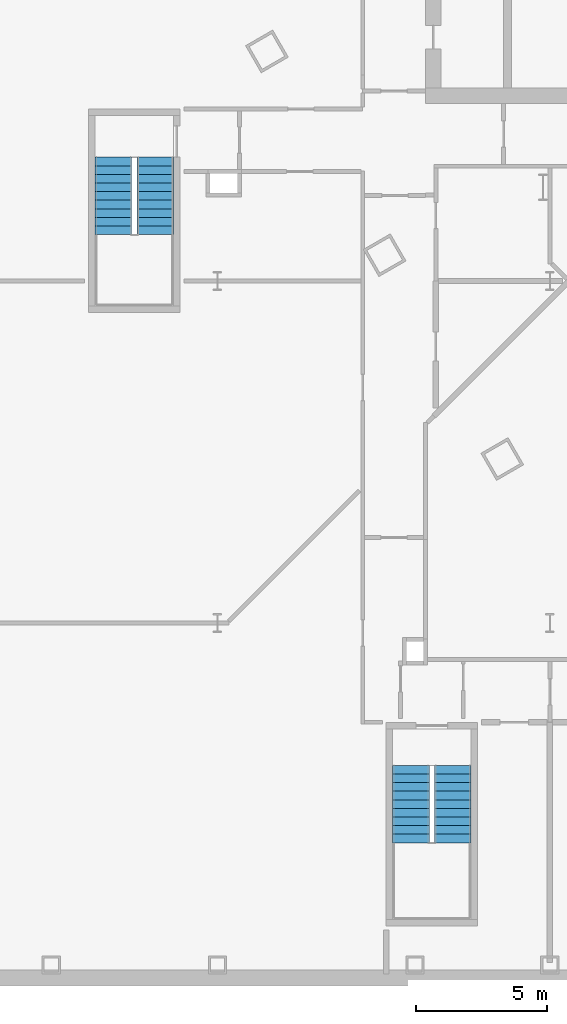
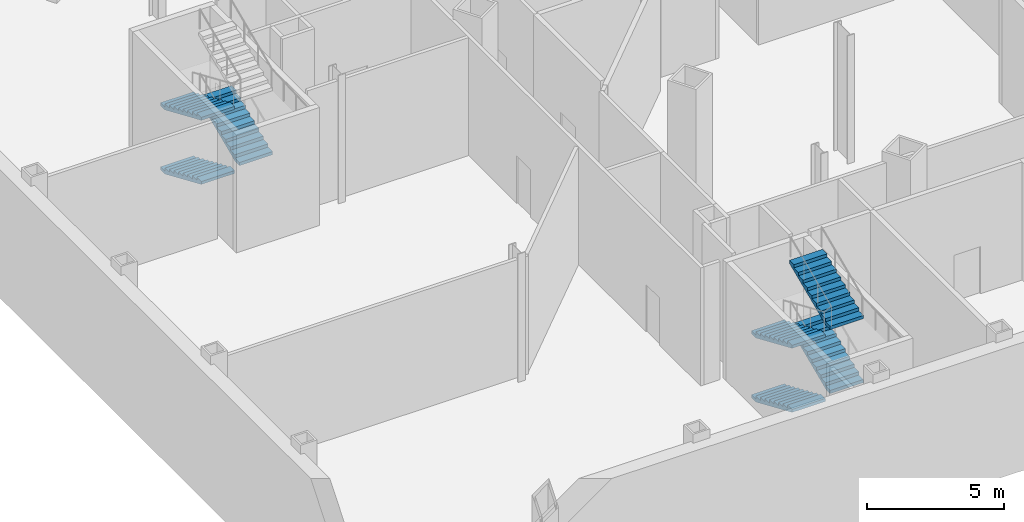
# One storey, part 12 of 17: 7 stair flights, 2 elements without a shape of their own.
"""IFC4 building model written with IfcOpenShell, lengths in metres."""

from ifc_helpers import new_model, si_unit, direction, frame, origin, place, context, subcontext, project, spatial, polygons, material, type_object, element, aggregate, save


model = new_model("IFC4")

# Units and contexts
model_context = context("Model", 3, precision=1e-05, world=origin(), true_north=direction((0.0, 1.0)))
body_context = subcontext(model_context, "Body", "Model", "MODEL_VIEW")
ifc_project = project(units=[si_unit("LENGTHUNIT", "METRE"), si_unit("AREAUNIT", "SQUARE_METRE"), si_unit("VOLUMEUNIT", "CUBIC_METRE"), si_unit("PLANEANGLEUNIT", "RADIAN"), si_unit("MASSUNIT", "GRAM", prefix="KILO")], contexts=[model_context])

# Site, building, storey
site_placement = place(None, origin())
site = spatial("IfcSite", under=ifc_project, at=site_placement, CompositionType="ELEMENT")
building_placement = place(site_placement, origin())
building = spatial("IfcBuilding", under=site, at=building_placement, Name="Njiva Tower", CompositionType="ELEMENT")
storey_placement = place(building_placement, frame((0.0, 0.0, -11.4)))
storey = spatial("IfcBuildingStorey", under=building, at=storey_placement, Name="B2", CompositionType="ELEMENT", Elevation=-11.4)

# Stair, stair flights
ifc_material = material(Name="Concrete C40/50", Category="concrete")
stair_type = type_object("IfcStairType", Name="ST2 Exit stair 1400", PredefinedType="HALF_TURN_STAIR", material=ifc_material)
stair_1_placement = place(storey_placement, origin())
stair_1 = element("IfcStair", 1, at=stair_1_placement, inside=storey, type_object=stair_type, Name="Stair D basement", PredefinedType="DOUBLE_RETURN_STAIR")
stair_flight_type = type_object("IfcStairFlightType", Name="FL2 Stair flight 1400", PredefinedType="STRAIGHT", material=ifc_material)
stair_flight_1_placement = place(storey_placement, frame((-18.05, -25.35, 0.0), z_axis=(0.0, 0.0, 1.0), x_axis=(0.0, -1.0, 0.0)))
stair_flight_1 = element("IfcStairFlight", 2, at=stair_flight_1_placement, type_object=stair_flight_type, Name="ST-DB flight 1", NumberOfRisers=10, NumberOfTreads=9, PredefinedType="STRAIGHT", RiserHeight=0.1425, TreadLength=0.33, context=body_context, shape_type="Tessellation", body=[
    polygons([(0.0, 0.7, 0.0), (0.0, 0.35, 0.0), (0.0, 0.0, 0.0), (0.0, -0.35, 0.0), (0.0, -0.7, 0.0), (0.0, 0.7, 0.1425), (0.0, 0.35, 0.1425), (0.0, 0.0, 0.1425), (0.0, -0.35, 0.1425), (0.0, -0.7, 0.1425), (0.33, 0.7, 0.1425), (0.33, 0.35, 0.1425), (0.33, 0.0, 0.1425), (0.33, -0.35, 0.1425), (0.33, -0.7, 0.1425), (0.33, 0.7, 0.285), (0.33, 0.35, 0.285), (0.33, 0.0, 0.285), (0.33, -0.35, 0.285), (0.33, -0.7, 0.285), (0.66, 0.7, 0.285), (0.66, 0.35, 0.285), (0.66, 0.0, 0.285), (0.66, -0.35, 0.285), (0.66, -0.7, 0.285), (0.66, 0.7, 0.4275), (0.66, 0.35, 0.4275), (0.66, 0.0, 0.4275), (0.66, -0.35, 0.4275), (0.66, -0.7, 0.4275), (0.99, 0.7, 0.4275), (0.99, 0.35, 0.4275), (0.99, 0.0, 0.4275), (0.99, -0.35, 0.4275), (0.99, -0.7, 0.4275), (0.99, 0.7, 0.57), (0.99, 0.35, 0.57), (0.99, 0.0, 0.57), (0.99, -0.35, 0.57), (0.99, -0.7, 0.57), (1.32, 0.7, 0.57), (1.32, 0.35, 0.57), (1.32, 0.0, 0.57), (1.32, -0.35, 0.57), (1.32, -0.7, 0.57), (1.32, 0.7, 0.7125), (1.32, 0.35, 0.7125), (1.32, 0.0, 0.7125), (1.32, -0.35, 0.7125), (1.32, -0.7, 0.7125), (1.65, 0.7, 0.7125), (1.65, 0.35, 0.7125), (1.65, 0.0, 0.7125), (1.65, -0.35, 0.7125), (1.65, -0.7, 0.7125), (1.65, 0.7, 0.855), (1.65, 0.35, 0.855), (1.65, 0.0, 0.855), (1.65, -0.35, 0.855), (1.65, -0.7, 0.855), (1.98, 0.7, 0.855), (1.98, 0.35, 0.855), (1.98, 0.0, 0.855), (1.98, -0.35, 0.855), (1.98, -0.7, 0.855), (1.98, 0.7, 0.9975), (1.98, 0.35, 0.9975), (1.98, 0.0, 0.9975), (1.98, -0.35, 0.9975), (1.98, -0.7, 0.9975), (2.31, 0.7, 0.9975), (2.31, 0.35, 0.9975), (2.31, 0.0, 0.9975), (2.31, -0.35, 0.9975), (2.31, -0.7, 0.9975), (2.31, 0.7, 1.14), (2.31, 0.35, 1.14), (2.31, 0.0, 1.14), (2.31, -0.35, 1.14), (2.31, -0.7, 1.14), (2.64, 0.7, 1.14), (2.64, 0.35, 1.14), (2.64, 0.0, 1.14), (2.64, -0.35, 1.14), (2.64, -0.7, 1.14), (2.64, 0.7, 1.2825), (2.64, 0.35, 1.2825), (2.64, 0.0, 1.2825), (2.64, -0.35, 1.2825), (2.64, -0.7, 1.2825), (2.97, 0.7, 1.2825), (2.97, 0.35, 1.2825), (2.97, 0.0, 1.2825), (2.97, -0.35, 1.2825), (2.97, -0.7, 1.2825), (2.97, 0.7, 1.1518), (2.97, 0.35, 1.1518), (2.97, 0.0, 1.1518), (2.97, -0.35, 1.1518), (2.97, -0.7, 1.1518), (0.3027, 0.7, 0.0), (0.3027, 0.35, 0.0), (0.3027, 0.0, 0.0), (0.3027, -0.35, 0.0), (0.3027, -0.7, 0.0)], [[[1, 6, 11, 16, 21, 26, 31, 36, 41, 46, 51, 56, 61, 66, 71, 76, 81, 86, 91, 96, 101]], [[105, 100, 95, 90, 85, 80, 75, 70, 65, 60, 55, 50, 45, 40, 35, 30, 25, 20, 15, 10, 5]], [[6, 1, 2, 7]], [[7, 2, 3, 8]], [[8, 3, 4, 9]], [[9, 4, 5, 10]], [[11, 6, 7, 12]], [[12, 7, 8, 13]], [[13, 8, 9, 14]], [[14, 9, 10, 15]], [[16, 11, 12, 17]], [[17, 12, 13, 18]], [[18, 13, 14, 19]], [[19, 14, 15, 20]], [[21, 16, 17, 22]], [[22, 17, 18, 23]], [[23, 18, 19, 24]], [[24, 19, 20, 25]], [[26, 21, 22, 27]], [[27, 22, 23, 28]], [[28, 23, 24, 29]], [[29, 24, 25, 30]], [[31, 26, 27, 32]], [[32, 27, 28, 33]], [[33, 28, 29, 34]], [[34, 29, 30, 35]], [[36, 31, 32, 37]], [[37, 32, 33, 38]], [[38, 33, 34, 39]], [[39, 34, 35, 40]], [[41, 36, 37, 42]], [[42, 37, 38, 43]], [[43, 38, 39, 44]], [[44, 39, 40, 45]], [[46, 41, 42, 47]], [[47, 42, 43, 48]], [[48, 43, 44, 49]], [[49, 44, 45, 50]], [[51, 46, 47, 52]], [[52, 47, 48, 53]], [[53, 48, 49, 54]], [[54, 49, 50, 55]], [[56, 51, 52, 57]], [[57, 52, 53, 58]], [[58, 53, 54, 59]], [[59, 54, 55, 60]], [[61, 56, 57, 62]], [[62, 57, 58, 63]], [[63, 58, 59, 64]], [[64, 59, 60, 65]], [[66, 61, 62, 67]], [[67, 62, 63, 68]], [[68, 63, 64, 69]], [[69, 64, 65, 70]], [[71, 66, 67, 72]], [[72, 67, 68, 73]], [[73, 68, 69, 74]], [[74, 69, 70, 75]], [[76, 71, 72, 77]], [[77, 72, 73, 78]], [[78, 73, 74, 79]], [[79, 74, 75, 80]], [[81, 76, 77, 82]], [[82, 77, 78, 83]], [[83, 78, 79, 84]], [[84, 79, 80, 85]], [[86, 81, 82, 87]], [[87, 82, 83, 88]], [[88, 83, 84, 89]], [[89, 84, 85, 90]], [[91, 86, 87, 92]], [[92, 87, 88, 93]], [[93, 88, 89, 94]], [[94, 89, 90, 95]], [[96, 91, 92, 97]], [[97, 92, 93, 98]], [[98, 93, 94, 99]], [[99, 94, 95, 100]], [[101, 96, 97, 102]], [[102, 97, 98, 103]], [[103, 98, 99, 104]], [[104, 99, 100, 105]], [[1, 101, 102, 2]], [[2, 102, 103, 3]], [[3, 103, 104, 4]], [[4, 104, 105, 5]]], closed=True),
])
stair_flight_2_placement = place(storey_placement, frame((-16.45, -28.32, 1.425), z_axis=(0.0, 0.0, 1.0), x_axis=(0.0, 1.0, 0.0)))
stair_flight_2 = element("IfcStairFlight", 3, at=stair_flight_2_placement, type_object=stair_flight_type, Name="ST-DB flight 2", NumberOfRisers=10, NumberOfTreads=9, PredefinedType="STRAIGHT", RiserHeight=0.1425, TreadLength=0.33, context=body_context, shape_type="Tessellation", body=[
    polygons([(0.0, 0.7, 0.0), (0.0, 0.35, 0.0), (0.0, 0.0, 0.0), (0.0, -0.35, 0.0), (0.0, -0.7, 0.0), (0.0, 0.7, 0.1425), (0.0, 0.35, 0.1425), (0.0, 0.0, 0.1425), (0.0, -0.35, 0.1425), (0.0, -0.7, 0.1425), (0.33, 0.7, 0.1425), (0.33, 0.35, 0.1425), (0.33, 0.0, 0.1425), (0.33, -0.35, 0.1425), (0.33, -0.7, 0.1425), (0.33, 0.7, 0.285), (0.33, 0.35, 0.285), (0.33, 0.0, 0.285), (0.33, -0.35, 0.285), (0.33, -0.7, 0.285), (0.66, 0.7, 0.285), (0.66, 0.35, 0.285), (0.66, 0.0, 0.285), (0.66, -0.35, 0.285), (0.66, -0.7, 0.285), (0.66, 0.7, 0.4275), (0.66, 0.35, 0.4275), (0.66, 0.0, 0.4275), (0.66, -0.35, 0.4275), (0.66, -0.7, 0.4275), (0.99, 0.7, 0.4275), (0.99, 0.35, 0.4275), (0.99, 0.0, 0.4275), (0.99, -0.35, 0.4275), (0.99, -0.7, 0.4275), (0.99, 0.7, 0.57), (0.99, 0.35, 0.57), (0.99, 0.0, 0.57), (0.99, -0.35, 0.57), (0.99, -0.7, 0.57), (1.32, 0.7, 0.57), (1.32, 0.35, 0.57), (1.32, 0.0, 0.57), (1.32, -0.35, 0.57), (1.32, -0.7, 0.57), (1.32, 0.7, 0.7125), (1.32, 0.35, 0.7125), (1.32, 0.0, 0.7125), (1.32, -0.35, 0.7125), (1.32, -0.7, 0.7125), (1.65, 0.7, 0.7125), (1.65, 0.35, 0.7125), (1.65, 0.0, 0.7125), (1.65, -0.35, 0.7125), (1.65, -0.7, 0.7125), (1.65, 0.7, 0.855), (1.65, 0.35, 0.855), (1.65, 0.0, 0.855), (1.65, -0.35, 0.855), (1.65, -0.7, 0.855), (1.98, 0.7, 0.855), (1.98, 0.35, 0.855), (1.98, 0.0, 0.855), (1.98, -0.35, 0.855), (1.98, -0.7, 0.855), (1.98, 0.7, 0.9975), (1.98, 0.35, 0.9975), (1.98, 0.0, 0.9975), (1.98, -0.35, 0.9975), (1.98, -0.7, 0.9975), (2.31, 0.7, 0.9975), (2.31, 0.35, 0.9975), (2.31, 0.0, 0.9975), (2.31, -0.35, 0.9975), (2.31, -0.7, 0.9975), (2.31, 0.7, 1.14), (2.31, 0.35, 1.14), (2.31, 0.0, 1.14), (2.31, -0.35, 1.14), (2.31, -0.7, 1.14), (2.64, 0.7, 1.14), (2.64, 0.35, 1.14), (2.64, 0.0, 1.14), (2.64, -0.35, 1.14), (2.64, -0.7, 1.14), (2.64, 0.7, 1.2825), (2.64, 0.35, 1.2825), (2.64, 0.0, 1.2825), (2.64, -0.35, 1.2825), (2.64, -0.7, 1.2825), (2.97, 0.7, 1.2825), (2.97, 0.35, 1.2825), (2.97, 0.0, 1.2825), (2.97, -0.35, 1.2825), (2.97, -0.7, 1.2825), (2.97, 0.7, 1.1518), (2.97, 0.35, 1.1518), (2.97, 0.0, 1.1518), (2.97, -0.35, 1.1518), (2.97, -0.7, 1.1518), (0.3027, 0.7, 0.0), (0.3027, 0.35, 0.0), (0.3027, 0.0, 0.0), (0.3027, -0.35, 0.0), (0.3027, -0.7, 0.0)], [[[1, 6, 11, 16, 21, 26, 31, 36, 41, 46, 51, 56, 61, 66, 71, 76, 81, 86, 91, 96, 101]], [[105, 100, 95, 90, 85, 80, 75, 70, 65, 60, 55, 50, 45, 40, 35, 30, 25, 20, 15, 10, 5]], [[6, 1, 2, 7]], [[7, 2, 3, 8]], [[8, 3, 4, 9]], [[9, 4, 5, 10]], [[11, 6, 7, 12]], [[12, 7, 8, 13]], [[13, 8, 9, 14]], [[14, 9, 10, 15]], [[16, 11, 12, 17]], [[17, 12, 13, 18]], [[18, 13, 14, 19]], [[19, 14, 15, 20]], [[21, 16, 17, 22]], [[22, 17, 18, 23]], [[23, 18, 19, 24]], [[24, 19, 20, 25]], [[26, 21, 22, 27]], [[27, 22, 23, 28]], [[28, 23, 24, 29]], [[29, 24, 25, 30]], [[31, 26, 27, 32]], [[32, 27, 28, 33]], [[33, 28, 29, 34]], [[34, 29, 30, 35]], [[36, 31, 32, 37]], [[37, 32, 33, 38]], [[38, 33, 34, 39]], [[39, 34, 35, 40]], [[41, 36, 37, 42]], [[42, 37, 38, 43]], [[43, 38, 39, 44]], [[44, 39, 40, 45]], [[46, 41, 42, 47]], [[47, 42, 43, 48]], [[48, 43, 44, 49]], [[49, 44, 45, 50]], [[51, 46, 47, 52]], [[52, 47, 48, 53]], [[53, 48, 49, 54]], [[54, 49, 50, 55]], [[56, 51, 52, 57]], [[57, 52, 53, 58]], [[58, 53, 54, 59]], [[59, 54, 55, 60]], [[61, 56, 57, 62]], [[62, 57, 58, 63]], [[63, 58, 59, 64]], [[64, 59, 60, 65]], [[66, 61, 62, 67]], [[67, 62, 63, 68]], [[68, 63, 64, 69]], [[69, 64, 65, 70]], [[71, 66, 67, 72]], [[72, 67, 68, 73]], [[73, 68, 69, 74]], [[74, 69, 70, 75]], [[76, 71, 72, 77]], [[77, 72, 73, 78]], [[78, 73, 74, 79]], [[79, 74, 75, 80]], [[81, 76, 77, 82]], [[82, 77, 78, 83]], [[83, 78, 79, 84]], [[84, 79, 80, 85]], [[86, 81, 82, 87]], [[87, 82, 83, 88]], [[88, 83, 84, 89]], [[89, 84, 85, 90]], [[91, 86, 87, 92]], [[92, 87, 88, 93]], [[93, 88, 89, 94]], [[94, 89, 90, 95]], [[96, 91, 92, 97]], [[97, 92, 93, 98]], [[98, 93, 94, 99]], [[99, 94, 95, 100]], [[101, 96, 97, 102]], [[102, 97, 98, 103]], [[103, 98, 99, 104]], [[104, 99, 100, 105]], [[1, 101, 102, 2]], [[2, 102, 103, 3]], [[3, 103, 104, 4]], [[4, 104, 105, 5]]], closed=True),
])
stair_flight_3_placement = place(storey_placement, frame((-18.05, -25.35, 2.85), z_axis=(0.0, 0.0, 1.0), x_axis=(0.0, -1.0, 0.0)))
stair_flight_3 = element("IfcStairFlight", 4, at=stair_flight_3_placement, type_object=stair_flight_type, Name="ST-DB flight 3", NumberOfRisers=10, NumberOfTreads=9, PredefinedType="STRAIGHT", RiserHeight=0.1425, TreadLength=0.33, context=body_context, shape_type="Tessellation", body=[
    polygons([(0.0, 0.7, 0.0), (0.0, 0.35, 0.0), (0.0, 0.0, 0.0), (0.0, -0.35, 0.0), (0.0, -0.7, 0.0), (0.0, 0.7, 0.1425), (0.0, 0.35, 0.1425), (0.0, 0.0, 0.1425), (0.0, -0.35, 0.1425), (0.0, -0.7, 0.1425), (0.33, 0.7, 0.1425), (0.33, 0.35, 0.1425), (0.33, 0.0, 0.1425), (0.33, -0.35, 0.1425), (0.33, -0.7, 0.1425), (0.33, 0.7, 0.285), (0.33, 0.35, 0.285), (0.33, 0.0, 0.285), (0.33, -0.35, 0.285), (0.33, -0.7, 0.285), (0.66, 0.7, 0.285), (0.66, 0.35, 0.285), (0.66, 0.0, 0.285), (0.66, -0.35, 0.285), (0.66, -0.7, 0.285), (0.66, 0.7, 0.4275), (0.66, 0.35, 0.4275), (0.66, 0.0, 0.4275), (0.66, -0.35, 0.4275), (0.66, -0.7, 0.4275), (0.99, 0.7, 0.4275), (0.99, 0.35, 0.4275), (0.99, 0.0, 0.4275), (0.99, -0.35, 0.4275), (0.99, -0.7, 0.4275), (0.99, 0.7, 0.57), (0.99, 0.35, 0.57), (0.99, 0.0, 0.57), (0.99, -0.35, 0.57), (0.99, -0.7, 0.57), (1.32, 0.7, 0.57), (1.32, 0.35, 0.57), (1.32, 0.0, 0.57), (1.32, -0.35, 0.57), (1.32, -0.7, 0.57), (1.32, 0.7, 0.7125), (1.32, 0.35, 0.7125), (1.32, 0.0, 0.7125), (1.32, -0.35, 0.7125), (1.32, -0.7, 0.7125), (1.65, 0.7, 0.7125), (1.65, 0.35, 0.7125), (1.65, 0.0, 0.7125), (1.65, -0.35, 0.7125), (1.65, -0.7, 0.7125), (1.65, 0.7, 0.855), (1.65, 0.35, 0.855), (1.65, 0.0, 0.855), (1.65, -0.35, 0.855), (1.65, -0.7, 0.855), (1.98, 0.7, 0.855), (1.98, 0.35, 0.855), (1.98, 0.0, 0.855), (1.98, -0.35, 0.855), (1.98, -0.7, 0.855), (1.98, 0.7, 0.9975), (1.98, 0.35, 0.9975), (1.98, 0.0, 0.9975), (1.98, -0.35, 0.9975), (1.98, -0.7, 0.9975), (2.31, 0.7, 0.9975), (2.31, 0.35, 0.9975), (2.31, 0.0, 0.9975), (2.31, -0.35, 0.9975), (2.31, -0.7, 0.9975), (2.31, 0.7, 1.14), (2.31, 0.35, 1.14), (2.31, 0.0, 1.14), (2.31, -0.35, 1.14), (2.31, -0.7, 1.14), (2.64, 0.7, 1.14), (2.64, 0.35, 1.14), (2.64, 0.0, 1.14), (2.64, -0.35, 1.14), (2.64, -0.7, 1.14), (2.64, 0.7, 1.2825), (2.64, 0.35, 1.2825), (2.64, 0.0, 1.2825), (2.64, -0.35, 1.2825), (2.64, -0.7, 1.2825), (2.97, 0.7, 1.2825), (2.97, 0.35, 1.2825), (2.97, 0.0, 1.2825), (2.97, -0.35, 1.2825), (2.97, -0.7, 1.2825), (2.97, 0.7, 1.1518), (2.97, 0.35, 1.1518), (2.97, 0.0, 1.1518), (2.97, -0.35, 1.1518), (2.97, -0.7, 1.1518), (0.3027, 0.7, 0.0), (0.3027, 0.35, 0.0), (0.3027, 0.0, 0.0), (0.3027, -0.35, 0.0), (0.3027, -0.7, 0.0)], [[[1, 6, 11, 16, 21, 26, 31, 36, 41, 46, 51, 56, 61, 66, 71, 76, 81, 86, 91, 96, 101]], [[105, 100, 95, 90, 85, 80, 75, 70, 65, 60, 55, 50, 45, 40, 35, 30, 25, 20, 15, 10, 5]], [[6, 1, 2, 7]], [[7, 2, 3, 8]], [[8, 3, 4, 9]], [[9, 4, 5, 10]], [[11, 6, 7, 12]], [[12, 7, 8, 13]], [[13, 8, 9, 14]], [[14, 9, 10, 15]], [[16, 11, 12, 17]], [[17, 12, 13, 18]], [[18, 13, 14, 19]], [[19, 14, 15, 20]], [[21, 16, 17, 22]], [[22, 17, 18, 23]], [[23, 18, 19, 24]], [[24, 19, 20, 25]], [[26, 21, 22, 27]], [[27, 22, 23, 28]], [[28, 23, 24, 29]], [[29, 24, 25, 30]], [[31, 26, 27, 32]], [[32, 27, 28, 33]], [[33, 28, 29, 34]], [[34, 29, 30, 35]], [[36, 31, 32, 37]], [[37, 32, 33, 38]], [[38, 33, 34, 39]], [[39, 34, 35, 40]], [[41, 36, 37, 42]], [[42, 37, 38, 43]], [[43, 38, 39, 44]], [[44, 39, 40, 45]], [[46, 41, 42, 47]], [[47, 42, 43, 48]], [[48, 43, 44, 49]], [[49, 44, 45, 50]], [[51, 46, 47, 52]], [[52, 47, 48, 53]], [[53, 48, 49, 54]], [[54, 49, 50, 55]], [[56, 51, 52, 57]], [[57, 52, 53, 58]], [[58, 53, 54, 59]], [[59, 54, 55, 60]], [[61, 56, 57, 62]], [[62, 57, 58, 63]], [[63, 58, 59, 64]], [[64, 59, 60, 65]], [[66, 61, 62, 67]], [[67, 62, 63, 68]], [[68, 63, 64, 69]], [[69, 64, 65, 70]], [[71, 66, 67, 72]], [[72, 67, 68, 73]], [[73, 68, 69, 74]], [[74, 69, 70, 75]], [[76, 71, 72, 77]], [[77, 72, 73, 78]], [[78, 73, 74, 79]], [[79, 74, 75, 80]], [[81, 76, 77, 82]], [[82, 77, 78, 83]], [[83, 78, 79, 84]], [[84, 79, 80, 85]], [[86, 81, 82, 87]], [[87, 82, 83, 88]], [[88, 83, 84, 89]], [[89, 84, 85, 90]], [[91, 86, 87, 92]], [[92, 87, 88, 93]], [[93, 88, 89, 94]], [[94, 89, 90, 95]], [[96, 91, 92, 97]], [[97, 92, 93, 98]], [[98, 93, 94, 99]], [[99, 94, 95, 100]], [[101, 96, 97, 102]], [[102, 97, 98, 103]], [[103, 98, 99, 104]], [[104, 99, 100, 105]], [[1, 101, 102, 2]], [[2, 102, 103, 3]], [[3, 103, 104, 4]], [[4, 104, 105, 5]]], closed=True),
])
stair_flight_4_placement = place(storey_placement, frame((-16.45, -28.32, 4.275), z_axis=(0.0, 0.0, 1.0), x_axis=(0.0, 1.0, 0.0)))
stair_flight_4 = element("IfcStairFlight", 5, at=stair_flight_4_placement, type_object=stair_flight_type, Name="ST-DB flight 4", NumberOfRisers=10, NumberOfTreads=9, PredefinedType="STRAIGHT", RiserHeight=0.1425, TreadLength=0.33, context=body_context, shape_type="Tessellation", body=[
    polygons([(0.0, 0.7, 0.0), (0.0, 0.35, 0.0), (0.0, 0.0, 0.0), (0.0, -0.35, 0.0), (0.0, -0.7, 0.0), (0.0, 0.7, 0.1425), (0.0, 0.35, 0.1425), (0.0, 0.0, 0.1425), (0.0, -0.35, 0.1425), (0.0, -0.7, 0.1425), (0.33, 0.7, 0.1425), (0.33, 0.35, 0.1425), (0.33, 0.0, 0.1425), (0.33, -0.35, 0.1425), (0.33, -0.7, 0.1425), (0.33, 0.7, 0.285), (0.33, 0.35, 0.285), (0.33, 0.0, 0.285), (0.33, -0.35, 0.285), (0.33, -0.7, 0.285), (0.66, 0.7, 0.285), (0.66, 0.35, 0.285), (0.66, 0.0, 0.285), (0.66, -0.35, 0.285), (0.66, -0.7, 0.285), (0.66, 0.7, 0.4275), (0.66, 0.35, 0.4275), (0.66, 0.0, 0.4275), (0.66, -0.35, 0.4275), (0.66, -0.7, 0.4275), (0.99, 0.7, 0.4275), (0.99, 0.35, 0.4275), (0.99, 0.0, 0.4275), (0.99, -0.35, 0.4275), (0.99, -0.7, 0.4275), (0.99, 0.7, 0.57), (0.99, 0.35, 0.57), (0.99, 0.0, 0.57), (0.99, -0.35, 0.57), (0.99, -0.7, 0.57), (1.32, 0.7, 0.57), (1.32, 0.35, 0.57), (1.32, 0.0, 0.57), (1.32, -0.35, 0.57), (1.32, -0.7, 0.57), (1.32, 0.7, 0.7125), (1.32, 0.35, 0.7125), (1.32, 0.0, 0.7125), (1.32, -0.35, 0.7125), (1.32, -0.7, 0.7125), (1.65, 0.7, 0.7125), (1.65, 0.35, 0.7125), (1.65, 0.0, 0.7125), (1.65, -0.35, 0.7125), (1.65, -0.7, 0.7125), (1.65, 0.7, 0.855), (1.65, 0.35, 0.855), (1.65, 0.0, 0.855), (1.65, -0.35, 0.855), (1.65, -0.7, 0.855), (1.98, 0.7, 0.855), (1.98, 0.35, 0.855), (1.98, 0.0, 0.855), (1.98, -0.35, 0.855), (1.98, -0.7, 0.855), (1.98, 0.7, 0.9975), (1.98, 0.35, 0.9975), (1.98, 0.0, 0.9975), (1.98, -0.35, 0.9975), (1.98, -0.7, 0.9975), (2.31, 0.7, 0.9975), (2.31, 0.35, 0.9975), (2.31, 0.0, 0.9975), (2.31, -0.35, 0.9975), (2.31, -0.7, 0.9975), (2.31, 0.7, 1.14), (2.31, 0.35, 1.14), (2.31, 0.0, 1.14), (2.31, -0.35, 1.14), (2.31, -0.7, 1.14), (2.64, 0.7, 1.14), (2.64, 0.35, 1.14), (2.64, 0.0, 1.14), (2.64, -0.35, 1.14), (2.64, -0.7, 1.14), (2.64, 0.7, 1.2825), (2.64, 0.35, 1.2825), (2.64, 0.0, 1.2825), (2.64, -0.35, 1.2825), (2.64, -0.7, 1.2825), (2.97, 0.7, 1.2825), (2.97, 0.35, 1.2825), (2.97, 0.0, 1.2825), (2.97, -0.35, 1.2825), (2.97, -0.7, 1.2825), (2.97, 0.7, 1.1518), (2.97, 0.35, 1.1518), (2.97, 0.0, 1.1518), (2.97, -0.35, 1.1518), (2.97, -0.7, 1.1518), (0.3027, 0.7, 0.0), (0.3027, 0.35, 0.0), (0.3027, 0.0, 0.0), (0.3027, -0.35, 0.0), (0.3027, -0.7, 0.0)], [[[1, 6, 11, 16, 21, 26, 31, 36, 41, 46, 51, 56, 61, 66, 71, 76, 81, 86, 91, 96, 101]], [[105, 100, 95, 90, 85, 80, 75, 70, 65, 60, 55, 50, 45, 40, 35, 30, 25, 20, 15, 10, 5]], [[6, 1, 2, 7]], [[7, 2, 3, 8]], [[8, 3, 4, 9]], [[9, 4, 5, 10]], [[11, 6, 7, 12]], [[12, 7, 8, 13]], [[13, 8, 9, 14]], [[14, 9, 10, 15]], [[16, 11, 12, 17]], [[17, 12, 13, 18]], [[18, 13, 14, 19]], [[19, 14, 15, 20]], [[21, 16, 17, 22]], [[22, 17, 18, 23]], [[23, 18, 19, 24]], [[24, 19, 20, 25]], [[26, 21, 22, 27]], [[27, 22, 23, 28]], [[28, 23, 24, 29]], [[29, 24, 25, 30]], [[31, 26, 27, 32]], [[32, 27, 28, 33]], [[33, 28, 29, 34]], [[34, 29, 30, 35]], [[36, 31, 32, 37]], [[37, 32, 33, 38]], [[38, 33, 34, 39]], [[39, 34, 35, 40]], [[41, 36, 37, 42]], [[42, 37, 38, 43]], [[43, 38, 39, 44]], [[44, 39, 40, 45]], [[46, 41, 42, 47]], [[47, 42, 43, 48]], [[48, 43, 44, 49]], [[49, 44, 45, 50]], [[51, 46, 47, 52]], [[52, 47, 48, 53]], [[53, 48, 49, 54]], [[54, 49, 50, 55]], [[56, 51, 52, 57]], [[57, 52, 53, 58]], [[58, 53, 54, 59]], [[59, 54, 55, 60]], [[61, 56, 57, 62]], [[62, 57, 58, 63]], [[63, 58, 59, 64]], [[64, 59, 60, 65]], [[66, 61, 62, 67]], [[67, 62, 63, 68]], [[68, 63, 64, 69]], [[69, 64, 65, 70]], [[71, 66, 67, 72]], [[72, 67, 68, 73]], [[73, 68, 69, 74]], [[74, 69, 70, 75]], [[76, 71, 72, 77]], [[77, 72, 73, 78]], [[78, 73, 74, 79]], [[79, 74, 75, 80]], [[81, 76, 77, 82]], [[82, 77, 78, 83]], [[83, 78, 79, 84]], [[84, 79, 80, 85]], [[86, 81, 82, 87]], [[87, 82, 83, 88]], [[88, 83, 84, 89]], [[89, 84, 85, 90]], [[91, 86, 87, 92]], [[92, 87, 88, 93]], [[93, 88, 89, 94]], [[94, 89, 90, 95]], [[96, 91, 92, 97]], [[97, 92, 93, 98]], [[98, 93, 94, 99]], [[99, 94, 95, 100]], [[101, 96, 97, 102]], [[102, 97, 98, 103]], [[103, 98, 99, 104]], [[104, 99, 100, 105]], [[1, 101, 102, 2]], [[2, 102, 103, 3]], [[3, 103, 104, 4]], [[4, 104, 105, 5]]], closed=True),
])
aggregate(stair_1, [stair_flight_1, stair_flight_2, stair_flight_3, stair_flight_4])

stair_2_placement = place(storey_placement, origin())
stair_2 = element("IfcStair", 6, at=stair_2_placement, inside=storey, type_object=stair_type, Name="Stair F basement", PredefinedType="DOUBLE_RETURN_STAIR")
stair_flight_5_placement = place(storey_placement, frame((-29.45, -2.05, 0.0), z_axis=(0.0, 0.0, 1.0), x_axis=(0.0, -1.0, 0.0)))
stair_flight_5 = element("IfcStairFlight", 7, at=stair_flight_5_placement, type_object=stair_flight_type, Name="ST-FB flight 1", NumberOfRisers=10, NumberOfTreads=9, PredefinedType="STRAIGHT", RiserHeight=0.1425, TreadLength=0.33, context=body_context, shape_type="Tessellation", body=[
    polygons([(0.0, 0.7, 0.0), (0.0, 0.35, 0.0), (0.0, 0.0, 0.0), (0.0, -0.35, 0.0), (0.0, -0.7, 0.0), (0.0, 0.7, 0.1425), (0.0, 0.35, 0.1425), (0.0, 0.0, 0.1425), (0.0, -0.35, 0.1425), (0.0, -0.7, 0.1425), (0.33, 0.7, 0.1425), (0.33, 0.35, 0.1425), (0.33, 0.0, 0.1425), (0.33, -0.35, 0.1425), (0.33, -0.7, 0.1425), (0.33, 0.7, 0.285), (0.33, 0.35, 0.285), (0.33, 0.0, 0.285), (0.33, -0.35, 0.285), (0.33, -0.7, 0.285), (0.66, 0.7, 0.285), (0.66, 0.35, 0.285), (0.66, 0.0, 0.285), (0.66, -0.35, 0.285), (0.66, -0.7, 0.285), (0.66, 0.7, 0.4275), (0.66, 0.35, 0.4275), (0.66, 0.0, 0.4275), (0.66, -0.35, 0.4275), (0.66, -0.7, 0.4275), (0.99, 0.7, 0.4275), (0.99, 0.35, 0.4275), (0.99, 0.0, 0.4275), (0.99, -0.35, 0.4275), (0.99, -0.7, 0.4275), (0.99, 0.7, 0.57), (0.99, 0.35, 0.57), (0.99, 0.0, 0.57), (0.99, -0.35, 0.57), (0.99, -0.7, 0.57), (1.32, 0.7, 0.57), (1.32, 0.35, 0.57), (1.32, 0.0, 0.57), (1.32, -0.35, 0.57), (1.32, -0.7, 0.57), (1.32, 0.7, 0.7125), (1.32, 0.35, 0.7125), (1.32, 0.0, 0.7125), (1.32, -0.35, 0.7125), (1.32, -0.7, 0.7125), (1.65, 0.7, 0.7125), (1.65, 0.35, 0.7125), (1.65, 0.0, 0.7125), (1.65, -0.35, 0.7125), (1.65, -0.7, 0.7125), (1.65, 0.7, 0.855), (1.65, 0.35, 0.855), (1.65, 0.0, 0.855), (1.65, -0.35, 0.855), (1.65, -0.7, 0.855), (1.98, 0.7, 0.855), (1.98, 0.35, 0.855), (1.98, 0.0, 0.855), (1.98, -0.35, 0.855), (1.98, -0.7, 0.855), (1.98, 0.7, 0.9975), (1.98, 0.35, 0.9975), (1.98, 0.0, 0.9975), (1.98, -0.35, 0.9975), (1.98, -0.7, 0.9975), (2.31, 0.7, 0.9975), (2.31, 0.35, 0.9975), (2.31, 0.0, 0.9975), (2.31, -0.35, 0.9975), (2.31, -0.7, 0.9975), (2.31, 0.7, 1.14), (2.31, 0.35, 1.14), (2.31, 0.0, 1.14), (2.31, -0.35, 1.14), (2.31, -0.7, 1.14), (2.64, 0.7, 1.14), (2.64, 0.35, 1.14), (2.64, 0.0, 1.14), (2.64, -0.35, 1.14), (2.64, -0.7, 1.14), (2.64, 0.7, 1.2825), (2.64, 0.35, 1.2825), (2.64, 0.0, 1.2825), (2.64, -0.35, 1.2825), (2.64, -0.7, 1.2825), (2.97, 0.7, 1.2825), (2.97, 0.35, 1.2825), (2.97, 0.0, 1.2825), (2.97, -0.35, 1.2825), (2.97, -0.7, 1.2825), (2.97, 0.7, 1.1518), (2.97, 0.35, 1.1518), (2.97, 0.0, 1.1518), (2.97, -0.35, 1.1518), (2.97, -0.7, 1.1518), (0.3027, 0.7, 0.0), (0.3027, 0.35, 0.0), (0.3027, 0.0, 0.0), (0.3027, -0.35, 0.0), (0.3027, -0.7, 0.0)], [[[1, 6, 11, 16, 21, 26, 31, 36, 41, 46, 51, 56, 61, 66, 71, 76, 81, 86, 91, 96, 101]], [[105, 100, 95, 90, 85, 80, 75, 70, 65, 60, 55, 50, 45, 40, 35, 30, 25, 20, 15, 10, 5]], [[6, 1, 2, 7]], [[7, 2, 3, 8]], [[8, 3, 4, 9]], [[9, 4, 5, 10]], [[11, 6, 7, 12]], [[12, 7, 8, 13]], [[13, 8, 9, 14]], [[14, 9, 10, 15]], [[16, 11, 12, 17]], [[17, 12, 13, 18]], [[18, 13, 14, 19]], [[19, 14, 15, 20]], [[21, 16, 17, 22]], [[22, 17, 18, 23]], [[23, 18, 19, 24]], [[24, 19, 20, 25]], [[26, 21, 22, 27]], [[27, 22, 23, 28]], [[28, 23, 24, 29]], [[29, 24, 25, 30]], [[31, 26, 27, 32]], [[32, 27, 28, 33]], [[33, 28, 29, 34]], [[34, 29, 30, 35]], [[36, 31, 32, 37]], [[37, 32, 33, 38]], [[38, 33, 34, 39]], [[39, 34, 35, 40]], [[41, 36, 37, 42]], [[42, 37, 38, 43]], [[43, 38, 39, 44]], [[44, 39, 40, 45]], [[46, 41, 42, 47]], [[47, 42, 43, 48]], [[48, 43, 44, 49]], [[49, 44, 45, 50]], [[51, 46, 47, 52]], [[52, 47, 48, 53]], [[53, 48, 49, 54]], [[54, 49, 50, 55]], [[56, 51, 52, 57]], [[57, 52, 53, 58]], [[58, 53, 54, 59]], [[59, 54, 55, 60]], [[61, 56, 57, 62]], [[62, 57, 58, 63]], [[63, 58, 59, 64]], [[64, 59, 60, 65]], [[66, 61, 62, 67]], [[67, 62, 63, 68]], [[68, 63, 64, 69]], [[69, 64, 65, 70]], [[71, 66, 67, 72]], [[72, 67, 68, 73]], [[73, 68, 69, 74]], [[74, 69, 70, 75]], [[76, 71, 72, 77]], [[77, 72, 73, 78]], [[78, 73, 74, 79]], [[79, 74, 75, 80]], [[81, 76, 77, 82]], [[82, 77, 78, 83]], [[83, 78, 79, 84]], [[84, 79, 80, 85]], [[86, 81, 82, 87]], [[87, 82, 83, 88]], [[88, 83, 84, 89]], [[89, 84, 85, 90]], [[91, 86, 87, 92]], [[92, 87, 88, 93]], [[93, 88, 89, 94]], [[94, 89, 90, 95]], [[96, 91, 92, 97]], [[97, 92, 93, 98]], [[98, 93, 94, 99]], [[99, 94, 95, 100]], [[101, 96, 97, 102]], [[102, 97, 98, 103]], [[103, 98, 99, 104]], [[104, 99, 100, 105]], [[1, 101, 102, 2]], [[2, 102, 103, 3]], [[3, 103, 104, 4]], [[4, 104, 105, 5]]], closed=True),
])
stair_flight_6_placement = place(storey_placement, frame((-27.85, -5.02, 1.425), z_axis=(0.0, 0.0, 1.0), x_axis=(0.0, 1.0, 0.0)))
stair_flight_6 = element("IfcStairFlight", 8, at=stair_flight_6_placement, type_object=stair_flight_type, Name="ST-FB flight 2", NumberOfRisers=10, NumberOfTreads=9, PredefinedType="STRAIGHT", RiserHeight=0.1425, TreadLength=0.33, context=body_context, shape_type="Tessellation", body=[
    polygons([(0.0, 0.7, 0.0), (0.0, 0.35, 0.0), (0.0, 0.0, 0.0), (0.0, -0.35, 0.0), (0.0, -0.7, 0.0), (0.0, 0.7, 0.1425), (0.0, 0.35, 0.1425), (0.0, 0.0, 0.1425), (0.0, -0.35, 0.1425), (0.0, -0.7, 0.1425), (0.33, 0.7, 0.1425), (0.33, 0.35, 0.1425), (0.33, 0.0, 0.1425), (0.33, -0.35, 0.1425), (0.33, -0.7, 0.1425), (0.33, 0.7, 0.285), (0.33, 0.35, 0.285), (0.33, 0.0, 0.285), (0.33, -0.35, 0.285), (0.33, -0.7, 0.285), (0.66, 0.7, 0.285), (0.66, 0.35, 0.285), (0.66, 0.0, 0.285), (0.66, -0.35, 0.285), (0.66, -0.7, 0.285), (0.66, 0.7, 0.4275), (0.66, 0.35, 0.4275), (0.66, 0.0, 0.4275), (0.66, -0.35, 0.4275), (0.66, -0.7, 0.4275), (0.99, 0.7, 0.4275), (0.99, 0.35, 0.4275), (0.99, 0.0, 0.4275), (0.99, -0.35, 0.4275), (0.99, -0.7, 0.4275), (0.99, 0.7, 0.57), (0.99, 0.35, 0.57), (0.99, 0.0, 0.57), (0.99, -0.35, 0.57), (0.99, -0.7, 0.57), (1.32, 0.7, 0.57), (1.32, 0.35, 0.57), (1.32, 0.0, 0.57), (1.32, -0.35, 0.57), (1.32, -0.7, 0.57), (1.32, 0.7, 0.7125), (1.32, 0.35, 0.7125), (1.32, 0.0, 0.7125), (1.32, -0.35, 0.7125), (1.32, -0.7, 0.7125), (1.65, 0.7, 0.7125), (1.65, 0.35, 0.7125), (1.65, 0.0, 0.7125), (1.65, -0.35, 0.7125), (1.65, -0.7, 0.7125), (1.65, 0.7, 0.855), (1.65, 0.35, 0.855), (1.65, 0.0, 0.855), (1.65, -0.35, 0.855), (1.65, -0.7, 0.855), (1.98, 0.7, 0.855), (1.98, 0.35, 0.855), (1.98, 0.0, 0.855), (1.98, -0.35, 0.855), (1.98, -0.7, 0.855), (1.98, 0.7, 0.9975), (1.98, 0.35, 0.9975), (1.98, 0.0, 0.9975), (1.98, -0.35, 0.9975), (1.98, -0.7, 0.9975), (2.31, 0.7, 0.9975), (2.31, 0.35, 0.9975), (2.31, 0.0, 0.9975), (2.31, -0.35, 0.9975), (2.31, -0.7, 0.9975), (2.31, 0.7, 1.14), (2.31, 0.35, 1.14), (2.31, 0.0, 1.14), (2.31, -0.35, 1.14), (2.31, -0.7, 1.14), (2.64, 0.7, 1.14), (2.64, 0.35, 1.14), (2.64, 0.0, 1.14), (2.64, -0.35, 1.14), (2.64, -0.7, 1.14), (2.64, 0.7, 1.2825), (2.64, 0.35, 1.2825), (2.64, 0.0, 1.2825), (2.64, -0.35, 1.2825), (2.64, -0.7, 1.2825), (2.97, 0.7, 1.2825), (2.97, 0.35, 1.2825), (2.97, 0.0, 1.2825), (2.97, -0.35, 1.2825), (2.97, -0.7, 1.2825), (2.97, 0.7, 1.1518), (2.97, 0.35, 1.1518), (2.97, 0.0, 1.1518), (2.97, -0.35, 1.1518), (2.97, -0.7, 1.1518), (0.3027, 0.7, 0.0), (0.3027, 0.35, 0.0), (0.3027, 0.0, 0.0), (0.3027, -0.35, 0.0), (0.3027, -0.7, 0.0)], [[[1, 6, 11, 16, 21, 26, 31, 36, 41, 46, 51, 56, 61, 66, 71, 76, 81, 86, 91, 96, 101]], [[105, 100, 95, 90, 85, 80, 75, 70, 65, 60, 55, 50, 45, 40, 35, 30, 25, 20, 15, 10, 5]], [[6, 1, 2, 7]], [[7, 2, 3, 8]], [[8, 3, 4, 9]], [[9, 4, 5, 10]], [[11, 6, 7, 12]], [[12, 7, 8, 13]], [[13, 8, 9, 14]], [[14, 9, 10, 15]], [[16, 11, 12, 17]], [[17, 12, 13, 18]], [[18, 13, 14, 19]], [[19, 14, 15, 20]], [[21, 16, 17, 22]], [[22, 17, 18, 23]], [[23, 18, 19, 24]], [[24, 19, 20, 25]], [[26, 21, 22, 27]], [[27, 22, 23, 28]], [[28, 23, 24, 29]], [[29, 24, 25, 30]], [[31, 26, 27, 32]], [[32, 27, 28, 33]], [[33, 28, 29, 34]], [[34, 29, 30, 35]], [[36, 31, 32, 37]], [[37, 32, 33, 38]], [[38, 33, 34, 39]], [[39, 34, 35, 40]], [[41, 36, 37, 42]], [[42, 37, 38, 43]], [[43, 38, 39, 44]], [[44, 39, 40, 45]], [[46, 41, 42, 47]], [[47, 42, 43, 48]], [[48, 43, 44, 49]], [[49, 44, 45, 50]], [[51, 46, 47, 52]], [[52, 47, 48, 53]], [[53, 48, 49, 54]], [[54, 49, 50, 55]], [[56, 51, 52, 57]], [[57, 52, 53, 58]], [[58, 53, 54, 59]], [[59, 54, 55, 60]], [[61, 56, 57, 62]], [[62, 57, 58, 63]], [[63, 58, 59, 64]], [[64, 59, 60, 65]], [[66, 61, 62, 67]], [[67, 62, 63, 68]], [[68, 63, 64, 69]], [[69, 64, 65, 70]], [[71, 66, 67, 72]], [[72, 67, 68, 73]], [[73, 68, 69, 74]], [[74, 69, 70, 75]], [[76, 71, 72, 77]], [[77, 72, 73, 78]], [[78, 73, 74, 79]], [[79, 74, 75, 80]], [[81, 76, 77, 82]], [[82, 77, 78, 83]], [[83, 78, 79, 84]], [[84, 79, 80, 85]], [[86, 81, 82, 87]], [[87, 82, 83, 88]], [[88, 83, 84, 89]], [[89, 84, 85, 90]], [[91, 86, 87, 92]], [[92, 87, 88, 93]], [[93, 88, 89, 94]], [[94, 89, 90, 95]], [[96, 91, 92, 97]], [[97, 92, 93, 98]], [[98, 93, 94, 99]], [[99, 94, 95, 100]], [[101, 96, 97, 102]], [[102, 97, 98, 103]], [[103, 98, 99, 104]], [[104, 99, 100, 105]], [[1, 101, 102, 2]], [[2, 102, 103, 3]], [[3, 103, 104, 4]], [[4, 104, 105, 5]]], closed=True),
])
stair_flight_7_placement = place(storey_placement, frame((-29.45, -2.05, 2.85), z_axis=(0.0, 0.0, 1.0), x_axis=(0.0, -1.0, 0.0)))
stair_flight_7 = element("IfcStairFlight", 9, at=stair_flight_7_placement, type_object=stair_flight_type, Name="ST-FB flight 3", NumberOfRisers=10, NumberOfTreads=9, PredefinedType="STRAIGHT", RiserHeight=0.1425, TreadLength=0.33, context=body_context, shape_type="Tessellation", body=[
    polygons([(0.0, 0.7, 0.0), (0.0, 0.35, 0.0), (0.0, 0.0, 0.0), (0.0, -0.35, 0.0), (0.0, -0.7, 0.0), (0.0, 0.7, 0.1425), (0.0, 0.35, 0.1425), (0.0, 0.0, 0.1425), (0.0, -0.35, 0.1425), (0.0, -0.7, 0.1425), (0.33, 0.7, 0.1425), (0.33, 0.35, 0.1425), (0.33, 0.0, 0.1425), (0.33, -0.35, 0.1425), (0.33, -0.7, 0.1425), (0.33, 0.7, 0.285), (0.33, 0.35, 0.285), (0.33, 0.0, 0.285), (0.33, -0.35, 0.285), (0.33, -0.7, 0.285), (0.66, 0.7, 0.285), (0.66, 0.35, 0.285), (0.66, 0.0, 0.285), (0.66, -0.35, 0.285), (0.66, -0.7, 0.285), (0.66, 0.7, 0.4275), (0.66, 0.35, 0.4275), (0.66, 0.0, 0.4275), (0.66, -0.35, 0.4275), (0.66, -0.7, 0.4275), (0.99, 0.7, 0.4275), (0.99, 0.35, 0.4275), (0.99, 0.0, 0.4275), (0.99, -0.35, 0.4275), (0.99, -0.7, 0.4275), (0.99, 0.7, 0.57), (0.99, 0.35, 0.57), (0.99, 0.0, 0.57), (0.99, -0.35, 0.57), (0.99, -0.7, 0.57), (1.32, 0.7, 0.57), (1.32, 0.35, 0.57), (1.32, 0.0, 0.57), (1.32, -0.35, 0.57), (1.32, -0.7, 0.57), (1.32, 0.7, 0.7125), (1.32, 0.35, 0.7125), (1.32, 0.0, 0.7125), (1.32, -0.35, 0.7125), (1.32, -0.7, 0.7125), (1.65, 0.7, 0.7125), (1.65, 0.35, 0.7125), (1.65, 0.0, 0.7125), (1.65, -0.35, 0.7125), (1.65, -0.7, 0.7125), (1.65, 0.7, 0.855), (1.65, 0.35, 0.855), (1.65, 0.0, 0.855), (1.65, -0.35, 0.855), (1.65, -0.7, 0.855), (1.98, 0.7, 0.855), (1.98, 0.35, 0.855), (1.98, 0.0, 0.855), (1.98, -0.35, 0.855), (1.98, -0.7, 0.855), (1.98, 0.7, 0.9975), (1.98, 0.35, 0.9975), (1.98, 0.0, 0.9975), (1.98, -0.35, 0.9975), (1.98, -0.7, 0.9975), (2.31, 0.7, 0.9975), (2.31, 0.35, 0.9975), (2.31, 0.0, 0.9975), (2.31, -0.35, 0.9975), (2.31, -0.7, 0.9975), (2.31, 0.7, 1.14), (2.31, 0.35, 1.14), (2.31, 0.0, 1.14), (2.31, -0.35, 1.14), (2.31, -0.7, 1.14), (2.64, 0.7, 1.14), (2.64, 0.35, 1.14), (2.64, 0.0, 1.14), (2.64, -0.35, 1.14), (2.64, -0.7, 1.14), (2.64, 0.7, 1.2825), (2.64, 0.35, 1.2825), (2.64, 0.0, 1.2825), (2.64, -0.35, 1.2825), (2.64, -0.7, 1.2825), (2.97, 0.7, 1.2825), (2.97, 0.35, 1.2825), (2.97, 0.0, 1.2825), (2.97, -0.35, 1.2825), (2.97, -0.7, 1.2825), (2.97, 0.7, 1.1518), (2.97, 0.35, 1.1518), (2.97, 0.0, 1.1518), (2.97, -0.35, 1.1518), (2.97, -0.7, 1.1518), (0.3027, 0.7, 0.0), (0.3027, 0.35, 0.0), (0.3027, 0.0, 0.0), (0.3027, -0.35, 0.0), (0.3027, -0.7, 0.0)], [[[1, 6, 11, 16, 21, 26, 31, 36, 41, 46, 51, 56, 61, 66, 71, 76, 81, 86, 91, 96, 101]], [[105, 100, 95, 90, 85, 80, 75, 70, 65, 60, 55, 50, 45, 40, 35, 30, 25, 20, 15, 10, 5]], [[6, 1, 2, 7]], [[7, 2, 3, 8]], [[8, 3, 4, 9]], [[9, 4, 5, 10]], [[11, 6, 7, 12]], [[12, 7, 8, 13]], [[13, 8, 9, 14]], [[14, 9, 10, 15]], [[16, 11, 12, 17]], [[17, 12, 13, 18]], [[18, 13, 14, 19]], [[19, 14, 15, 20]], [[21, 16, 17, 22]], [[22, 17, 18, 23]], [[23, 18, 19, 24]], [[24, 19, 20, 25]], [[26, 21, 22, 27]], [[27, 22, 23, 28]], [[28, 23, 24, 29]], [[29, 24, 25, 30]], [[31, 26, 27, 32]], [[32, 27, 28, 33]], [[33, 28, 29, 34]], [[34, 29, 30, 35]], [[36, 31, 32, 37]], [[37, 32, 33, 38]], [[38, 33, 34, 39]], [[39, 34, 35, 40]], [[41, 36, 37, 42]], [[42, 37, 38, 43]], [[43, 38, 39, 44]], [[44, 39, 40, 45]], [[46, 41, 42, 47]], [[47, 42, 43, 48]], [[48, 43, 44, 49]], [[49, 44, 45, 50]], [[51, 46, 47, 52]], [[52, 47, 48, 53]], [[53, 48, 49, 54]], [[54, 49, 50, 55]], [[56, 51, 52, 57]], [[57, 52, 53, 58]], [[58, 53, 54, 59]], [[59, 54, 55, 60]], [[61, 56, 57, 62]], [[62, 57, 58, 63]], [[63, 58, 59, 64]], [[64, 59, 60, 65]], [[66, 61, 62, 67]], [[67, 62, 63, 68]], [[68, 63, 64, 69]], [[69, 64, 65, 70]], [[71, 66, 67, 72]], [[72, 67, 68, 73]], [[73, 68, 69, 74]], [[74, 69, 70, 75]], [[76, 71, 72, 77]], [[77, 72, 73, 78]], [[78, 73, 74, 79]], [[79, 74, 75, 80]], [[81, 76, 77, 82]], [[82, 77, 78, 83]], [[83, 78, 79, 84]], [[84, 79, 80, 85]], [[86, 81, 82, 87]], [[87, 82, 83, 88]], [[88, 83, 84, 89]], [[89, 84, 85, 90]], [[91, 86, 87, 92]], [[92, 87, 88, 93]], [[93, 88, 89, 94]], [[94, 89, 90, 95]], [[96, 91, 92, 97]], [[97, 92, 93, 98]], [[98, 93, 94, 99]], [[99, 94, 95, 100]], [[101, 96, 97, 102]], [[102, 97, 98, 103]], [[103, 98, 99, 104]], [[104, 99, 100, 105]], [[1, 101, 102, 2]], [[2, 102, 103, 3]], [[3, 103, 104, 4]], [[4, 104, 105, 5]]], closed=True),
])
aggregate(stair_2, [stair_flight_5, stair_flight_6, stair_flight_7])

save(model, "model.ifc")
